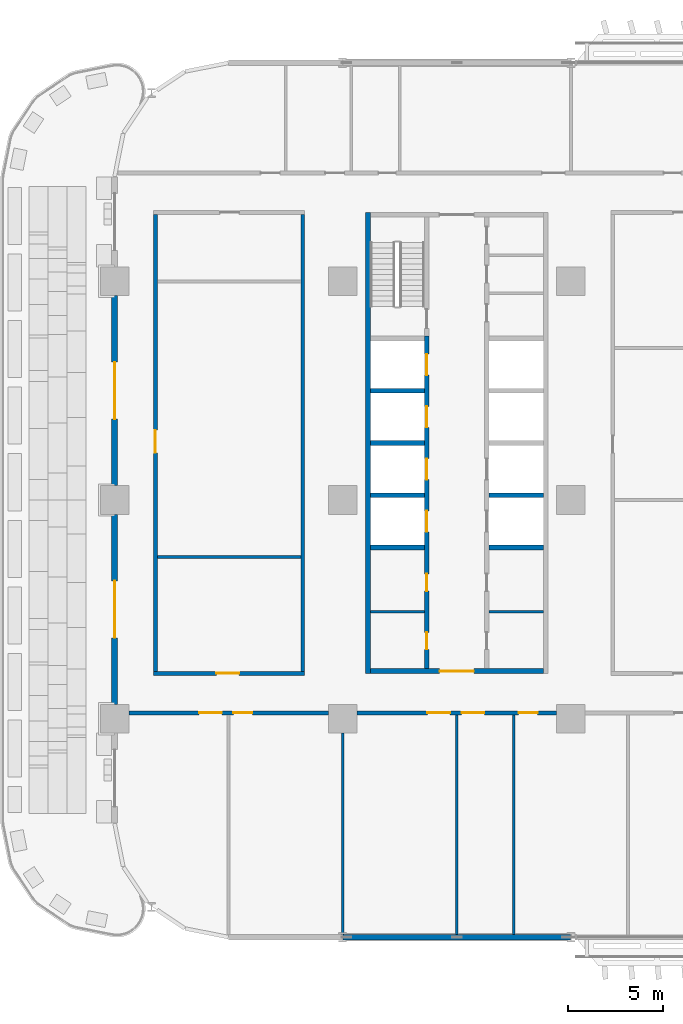
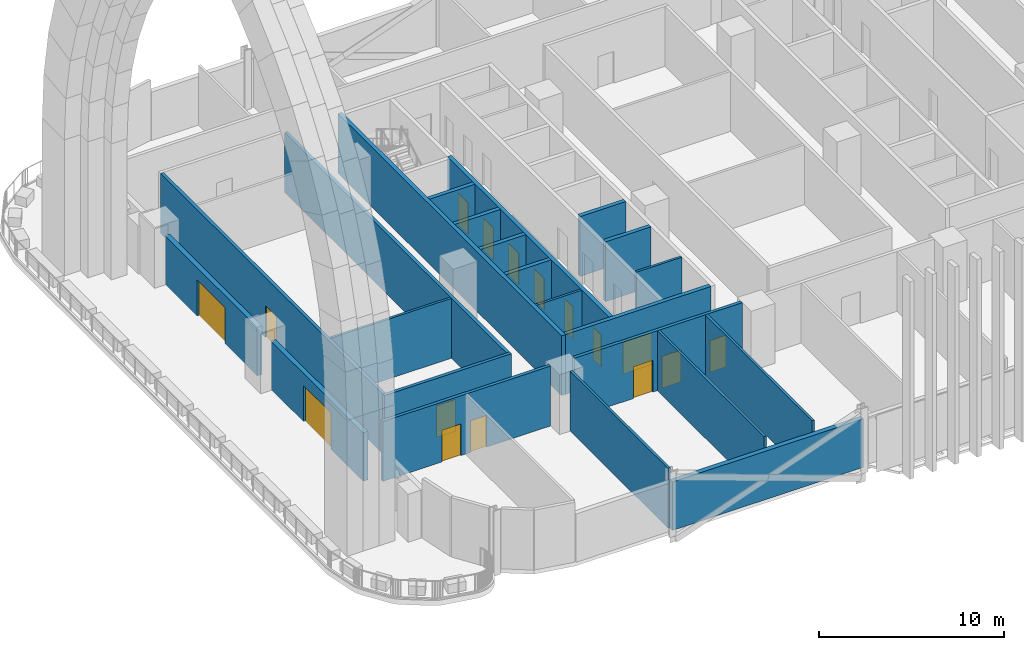
# One storey, part 9 of 29: 23 walls, 16 doors, 16 openings.
"""IFC4 building model written with IfcOpenShell, lengths in metres."""

import ifcopenshell
import ifcopenshell.guid

model = None  # the IFC model being written
_history = None  # IfcOwnerHistory: only IFC2X3 demands one
_inside = {}  # id of a spatial element -> (the spatial element, [elements in it])
_under = {}  # id of a project, library or spatial element -> (it, [spatial elements below it])
_declared = {}  # id of a project -> (the project, [libraries it declares])
_typed = {}  # id of a type object -> (the type object, [elements of that type])
_made_of = {}  # id of a material, layer set ... -> (it, [elements and type objects made of it])


def new_model(schema):
    """Start an empty IFC model of exactly this schema.

    Asked for "IFC4X3", IfcOpenShell would pick the latest addendum, in which some entities
    have other attributes; the version numbers below select the first issue.
    IFC2X3 requires an IfcOwnerHistory on every rooted entity: one is made here for all.
    """
    global model, _history
    if schema == "IFC4X3":
        model = ifcopenshell.file(schema_version=(4, 3, 0, 0))
    else:
        model = ifcopenshell.file(schema=schema)
    _inside.clear()
    _under.clear()
    _declared.clear()
    _typed.clear()
    _made_of.clear()
    _history = None
    if model.schema == "IFC2X3":
        org = make("IfcOrganization", Name="unknown")
        user = make(
            "IfcPersonAndOrganization",
            ThePerson=make("IfcPerson", FamilyName="unknown"),
            TheOrganization=org,
        )
        app = make(
            "IfcApplication",
            ApplicationDeveloper=org,
            Version="unknown",
            ApplicationFullName="unknown",
            ApplicationIdentifier="unknown",
        )
        _history = make(
            "IfcOwnerHistory",
            OwningUser=user,
            OwningApplication=app,
            ChangeAction="ADDED",
            CreationDate=0,
        )
    return model


def make(cls, **values):
    """One entity of the class cls with the attributes given. An attribute that is None is left unset."""
    return model.create_entity(
        cls, **{name: value for name, value in values.items() if value is not None}
    )


def rooted(cls, **values):
    """An entity with a GlobalId (a new one), such as an element, a storey or a relation."""
    return make(cls, GlobalId=ifcopenshell.guid.new(), OwnerHistory=_history, **values)


def si_unit(unit_type, name, prefix=None):
    """IfcSIUnit, for example si_unit("LENGTHUNIT", "METRE", prefix="MILLI")."""
    return make("IfcSIUnit", UnitType=unit_type, Prefix=prefix, Name=name)


def assignment(units):
    """IfcUnitAssignment: the units of a project."""
    return None if units is None else make("IfcUnitAssignment", Units=units)


def point(xyz):
    """IfcCartesianPoint."""
    return None if xyz is None else make("IfcCartesianPoint", Coordinates=xyz)


def direction(xyz):
    """IfcDirection."""
    return None if xyz is None else make("IfcDirection", DirectionRatios=xyz)


def frame(location, z_axis=None, x_axis=None):
    """IfcAxis2Placement3D, a coordinate frame: its origin and axes. An axis left out is left unset."""
    return make(
        "IfcAxis2Placement3D",
        Location=point(location),
        Axis=direction(z_axis),
        RefDirection=direction(x_axis),
    )


def frame_2d(location, x_axis=None):
    """IfcAxis2Placement2D, a coordinate frame in the plane: its origin and x axis."""
    return make(
        "IfcAxis2Placement2D", Location=point(location), RefDirection=direction(x_axis)
    )


def origin():
    """The frame at (0, 0, 0) with its axes left unset."""
    return frame((0.0, 0.0, 0.0))


def place(relative_to, where):
    """IfcLocalPlacement: puts the frame where relative to a parent placement (None: the world)."""
    return make(
        "IfcLocalPlacement", PlacementRelTo=relative_to, RelativePlacement=where
    )


def context(
    kind, dimensions, precision=None, world=None, true_north=None, identifier=None
):
    """IfcGeometricRepresentationContext, for example the 3D "Model" context."""
    return make(
        "IfcGeometricRepresentationContext",
        ContextIdentifier=identifier,
        ContextType=kind,
        CoordinateSpaceDimension=dimensions,
        Precision=precision,
        WorldCoordinateSystem=world,
        TrueNorth=true_north,
    )


def subcontext(parent, identifier, kind, view, scale=None):
    """IfcGeometricRepresentationSubContext, for example "Body" below "Model"."""
    return make(
        "IfcGeometricRepresentationSubContext",
        ContextIdentifier=identifier,
        ContextType=kind,
        ParentContext=parent,
        TargetScale=scale,
        TargetView=view,
    )


def project(units=None, contexts=None):
    """IfcProject with its units and contexts."""
    return rooted(
        "IfcProject",
        Name="project",
        RepresentationContexts=contexts,
        UnitsInContext=assignment(units),
    )


def spatial(cls, under=None, at=None, **own):
    """A site, building, storey or space (cls), placed at a placement, below another one or the project."""
    s = rooted(cls, ObjectPlacement=at, **own)
    if under is not None:
        _under.setdefault(under.id(), (under, []))[1].append(s)
    return s


def profile(cls, at=None, kind="AREA", **sizes):
    """A parametric profile (cls). Its sizes go by their IFC names, for example OverallWidth=200.0."""
    return make(cls, ProfileType=kind, Position=at, **sizes)


def rectangle(**sizes):
    """IfcRectangleProfileDef."""
    return profile("IfcRectangleProfileDef", **sizes)


def extrude(swept, where, along, depth):
    """IfcExtrudedAreaSolid: the profile swept, set in the frame where, extruded along a direction by depth."""
    return make(
        "IfcExtrudedAreaSolid",
        SweptArea=swept,
        Position=where,
        ExtrudedDirection=direction(along),
        Depth=depth,
    )


def shape(context_of_items, identifier, shape_type, items):
    """IfcShapeRepresentation: the items that make up one representation, for example the "Body"."""
    return make(
        "IfcShapeRepresentation",
        ContextOfItems=context_of_items,
        RepresentationIdentifier=identifier,
        RepresentationType=shape_type,
        Items=items,
    )


def material(Name=None, Category=None):
    """IfcMaterial."""
    return make("IfcMaterial", Name=Name, Category=Category)


def layer(
    of_material, thickness, ventilated=None, Name=None, Category=None, Priority=None
):
    """IfcMaterialLayer: one layer of a wall or slab, of a material (None: an air gap)."""
    return make(
        "IfcMaterialLayer",
        Material=of_material,
        LayerThickness=thickness,
        IsVentilated=ventilated,
        Name=Name,
        Category=Category,
        Priority=Priority,
    )


def layer_set(layers, Name=None):
    """IfcMaterialLayerSet."""
    return make("IfcMaterialLayerSet", MaterialLayers=layers, LayerSetName=Name)


def made_of(thing, what):
    """Note that an element or type object is made of a material, layer set ...; save() writes the relation."""
    if what is not None:
        _made_of.setdefault(what.id(), (what, []))[1].append(thing)
    return thing


def type_object(cls, material=None, **own):
    """A type object (cls), such as IfcWallType, which elements share."""
    return made_of(rooted(cls, **own), material)


def element(
    cls,
    number,
    at=None,
    inside=None,
    cuts=None,
    type_object=None,
    material=None,
    context=None,
    identifier="Body",
    shape_type=None,
    held_by="IfcProductDefinitionShape",
    body=None,
    shapes=None,
    **own,
):
    """One element of the class cls, such as IfcWall. Its Tag is "e" and its number.

    at: its placement. inside: the storey or other place that contains it. cuts: it is an
    opening in that element (IfcRelVoidsElement). A single representation is given by context,
    identifier, shape_type and body (its items); several are given by shapes. held_by: the class
    of the entity that holds the representations. save() writes the other relations.
    """
    e = rooted(cls, Tag="e%d" % number, ObjectPlacement=at, **own)
    if body is not None:
        shapes = [shape(context, identifier, shape_type, body)]
    if shapes is not None:
        e.Representation = make(held_by, Representations=shapes)
    if inside is not None:
        _inside.setdefault(inside.id(), (inside, []))[1].append(e)
    if cuts is not None:
        rooted(
            "IfcRelVoidsElement", RelatingBuildingElement=cuts, RelatedOpeningElement=e
        )
    if type_object is not None:
        _typed.setdefault(type_object.id(), (type_object, []))[1].append(e)
    return made_of(e, material)


def fill(opening, filler):
    """IfcRelFillsElement: the door or window that sits in an opening."""
    return rooted(
        "IfcRelFillsElement",
        RelatingOpeningElement=opening,
        RelatedBuildingElement=filler,
    )


def aggregate(whole, parts):
    """IfcRelAggregates: a whole, such as a stair, and the parts it consists of."""
    return rooted("IfcRelAggregates", RelatingObject=whole, RelatedObjects=parts)


def save(model, path):
    """Write the relations noted so far, then the file.

    IfcRelAggregates (storeys below a building ...), IfcRelContainedInSpatialStructure (elements
    in a storey), IfcRelDefinesByType, IfcRelAssociatesMaterial and IfcRelDeclares: one each for
    every whole, place, type object, material and project.
    """
    for whole, parts in _under.values():
        aggregate(whole, parts)
    for where, things in _inside.values():
        rooted(
            "IfcRelContainedInSpatialStructure",
            RelatedElements=things,
            RelatingStructure=where,
        )
    for kind, things in _typed.values():
        rooted("IfcRelDefinesByType", RelatedObjects=things, RelatingType=kind)
    for what, things in _made_of.values():
        rooted("IfcRelAssociatesMaterial", RelatedObjects=things, RelatingMaterial=what)
    for by, libraries in _declared.values():
        rooted("IfcRelDeclares", RelatingContext=by, RelatedDefinitions=libraries)
    model.write(path)


model = new_model("IFC4")

# Units and contexts
model_context = context("Model", 3, precision=1e-05, world=origin(), true_north=direction((0.0, 1.0)))
body_context = subcontext(model_context, "Body", "Model", "MODEL_VIEW")
ifc_project = project(units=[si_unit("LENGTHUNIT", "METRE"), si_unit("AREAUNIT", "SQUARE_METRE"), si_unit("VOLUMEUNIT", "CUBIC_METRE"), si_unit("PLANEANGLEUNIT", "RADIAN"), si_unit("MASSUNIT", "GRAM", prefix="KILO")], contexts=[model_context])

# Site, building, storey
site_placement = place(None, origin())
site = spatial("IfcSite", under=ifc_project, at=site_placement, CompositionType="ELEMENT")
building_placement = place(site_placement, origin())
building = spatial("IfcBuilding", under=site, at=building_placement, Name="Mahtab Terrace Research Tower", CompositionType="ELEMENT")
storey_placement = place(building_placement, frame((0.0, 0.0, 46.0)))
storey = spatial("IfcBuildingStorey", under=building, at=storey_placement, Name="L10", CompositionType="ELEMENT", Elevation=46.0)

# Walls
ifc_material_1 = material(Name="Gypsum board partition")
ifc_layer_1 = layer(ifc_material_1, 0.14990234375)
ifc_layer_set_1 = layer_set([ifc_layer_1], Name="Core partition 150")
wall_type_1 = type_object("IfcWallType", Name="Core partition 150", PredefinedType="PARTITIONING", material=ifc_layer_set_1)
for number, where, z_axis, x_axis, name in (
    (1, (-28.550048828125, -5.875, 0.0), (0.0, 0.0, 1.0), (1.0, 0.0, 0.0), "Core wall A pWS-888"),
    (2, (-22.300048828125, -5.875, 0.0), (0.0, 0.0, 1.0), (1.0, 0.0, 0.0), "Core wall A pES-888"),
):
    element("IfcWall", number, at=place(storey_placement, frame(where, z_axis=z_axis, x_axis=x_axis)), inside=storey, type_object=wall_type_1, Name=name, PredefinedType="PARTITIONING", context=body_context, shape_type="SweptSolid", body=[
        extrude(rectangle(XDim=2.85009765625, YDim=0.14990234375, at=frame_2d((1.425048828125, 0.0))), origin(), (0.0, 0.0, 1.0), 3.9599609375),
    ])
ifc_material_2 = material(Name="Concrete C70/85", Category="concrete")
ifc_layer_2 = layer(ifc_material_2, 0.25)
ifc_layer_set_2 = layer_set([ifc_layer_2], Name="Core wall 250")
wall_type_2 = type_object("IfcWallType", Name="Core wall 250", PredefinedType="SOLIDWALL", material=ifc_layer_set_2)
wall_1_placement = place(storey_placement, frame((-28.675048828125, 15.125, 0.0), z_axis=(0.0, 0.0, 1.0), x_axis=(0.0, -1.0, 0.0)))
element("IfcWall", 3, at=wall_1_placement, inside=storey, type_object=wall_type_2, Name="Core wall A outerW", PredefinedType="SOLIDWALL", context=body_context, shape_type="SweptSolid", body=[
    extrude(rectangle(XDim=24.25, YDim=0.25, at=frame_2d((12.125, 0.0))), origin(), (0.0, 0.0, 1.0), 3.9599609375),
])

# Wall, opening, door
wall_2_placement = place(storey_placement, frame((-19.449951171875, -9.0, 0.0), z_axis=(0.0, 0.0, 1.0), x_axis=(-1.0, 0.0, 0.0)))
wall_2 = element("IfcWall", 4, at=wall_2_placement, inside=storey, type_object=wall_type_2, Name="Core wall A endS", PredefinedType="SOLIDWALL", context=body_context, shape_type="SweptSolid", body=[
    extrude(rectangle(XDim=9.10009765625, YDim=0.25, at=frame_2d((4.550048828125, 0.0))), origin(), (0.0, 0.0, 1.0), 3.9599609375),
])
opening_1_placement = place(wall_2_placement, frame((3.64990234375, 0.0, 0.0)))
opening_1 = element("IfcOpeningElement", 5, at=opening_1_placement, cuts=wall_2, Name="Opening A-S1", PredefinedType="OPENING", context=body_context, shape_type="SweptSolid", body=[
    extrude(rectangle(XDim=1.800048828125, YDim=2.10009765625, at=frame_2d((0.89990234375, 1.050048828125))), frame((0.0, 0.135009765625, 0.0), z_axis=(0.0, -1.0, 0.0), x_axis=(1.0, 0.0, 0.0)), (0.0, 0.0, 1.0), 0.27001953125),
])
ifc_material_3 = material(Name="Steel fire door", Category="steel")
door_type_1 = type_object("IfcDoorType", Name="Lobby double door 1800x2100 1 HR", OperationType="DOUBLE_DOOR_SINGLE_SWING", PredefinedType="DOOR", material=ifc_material_3)
door_1_placement = place(opening_1_placement, origin())
door_1 = element("IfcDoor", 6, at=door_1_placement, inside=storey, type_object=door_type_1, Name="Core entrance door A S", OperationType="DOUBLE_DOOR_SINGLE_SWING", OverallHeight=2.10009765625, OverallWidth=1.800048828125, PredefinedType="DOOR", context=body_context, shape_type="SweptSolid", body=[
    extrude(rectangle(XDim=1.800048828125, YDim=2.10009765625, at=frame_2d((0.89990234375, 1.050048828125))), frame((0.0, 0.02490234375, 0.0), z_axis=(0.0, -1.0, 0.0), x_axis=(1.0, 0.0, 0.0)), (0.0, 0.0, 1.0), 0.050048828125),
])
fill(opening_1, door_1)

# Wall, openings, doors
wall_3_placement = place(storey_placement, frame((-25.574951171875, -8.875, 0.0), z_axis=(0.0, 0.0, 1.0), x_axis=(0.0, 1.0, 0.0)))
wall_3 = element("IfcWall", 7, at=wall_3_placement, inside=storey, type_object=wall_type_2, Name="Core wall A innerWSL", PredefinedType="SOLIDWALL", context=body_context, shape_type="SweptSolid", body=[
    extrude(rectangle(XDim=17.5, YDim=0.25, at=frame_2d((8.75, 0.0))), origin(), (0.0, 0.0, 1.0), 3.9599609375),
])
opening_2_placement = place(wall_3_placement, frame((7.199951171875, 0.0, 0.0)))
opening_2 = element("IfcOpeningElement", 8, at=opening_2_placement, cuts=wall_3, Name="Opening LD01-L10", PredefinedType="OPENING", context=body_context, shape_type="SweptSolid", body=[
    extrude(rectangle(XDim=1.10009765625, YDim=2.10009765625, at=frame_2d((0.550048828125, 1.050048828125))), frame((0.0, 0.135009765625, 0.0), z_axis=(0.0, -1.0, 0.0), x_axis=(1.0, 0.0, 0.0)), (0.0, 0.0, 1.0), 0.27001953125),
])
opening_3_placement = place(wall_3_placement, frame((9.949951171875, 0.0, 0.0)))
opening_3 = element("IfcOpeningElement", 9, at=opening_3_placement, cuts=wall_3, Name="Opening LD02-L10", PredefinedType="OPENING", context=body_context, shape_type="SweptSolid", body=[
    extrude(rectangle(XDim=1.10009765625, YDim=2.10009765625, at=frame_2d((0.550048828125, 1.050048828125))), frame((0.0, 0.135009765625, 0.0), z_axis=(0.0, -1.0, 0.0), x_axis=(1.0, 0.0, 0.0)), (0.0, 0.0, 1.0), 0.27001953125),
])
opening_4_placement = place(wall_3_placement, frame((12.699951171875, 0.0, 0.0)))
opening_4 = element("IfcOpeningElement", 10, at=opening_4_placement, cuts=wall_3, Name="Opening LD03-L10", PredefinedType="OPENING", context=body_context, shape_type="SweptSolid", body=[
    extrude(rectangle(XDim=1.10009765625, YDim=2.10009765625, at=frame_2d((0.550048828125, 1.050048828125))), frame((0.0, 0.135009765625, 0.0), z_axis=(0.0, -1.0, 0.0), x_axis=(1.0, 0.0, 0.0)), (0.0, 0.0, 1.0), 0.27001953125),
])
opening_5_placement = place(wall_3_placement, frame((15.449951171875, 0.0, 0.0)))
opening_5 = element("IfcOpeningElement", 11, at=opening_5_placement, cuts=wall_3, Name="Opening LD04-L10", PredefinedType="OPENING", context=body_context, shape_type="SweptSolid", body=[
    extrude(rectangle(XDim=1.10009765625, YDim=2.10009765625, at=frame_2d((0.550048828125, 1.050048828125))), frame((0.0, 0.135009765625, 0.0), z_axis=(0.0, -1.0, 0.0), x_axis=(1.0, 0.0, 0.0)), (0.0, 0.0, 1.0), 0.27001953125),
])
opening_6_placement = place(wall_3_placement, frame((1.012451171875, 0.0, 0.0)))
opening_6 = element("IfcOpeningElement", 12, at=opening_6_placement, cuts=wall_3, Name="Opening A-R1", PredefinedType="OPENING", context=body_context, shape_type="SweptSolid", body=[
    extrude(rectangle(XDim=0.89990234375, YDim=2.10009765625, at=frame_2d((0.449951171875, 1.050048828125))), frame((0.0, 0.135009765625, 0.0), z_axis=(0.0, -1.0, 0.0), x_axis=(1.0, 0.0, 0.0)), (0.0, 0.0, 1.0), 0.27001953125),
])
opening_7_placement = place(wall_3_placement, frame((4.08740234375, 0.0, 0.0)))
opening_7 = element("IfcOpeningElement", 13, at=opening_7_placement, cuts=wall_3, Name="Opening A-R2", PredefinedType="OPENING", context=body_context, shape_type="SweptSolid", body=[
    extrude(rectangle(XDim=0.89990234375, YDim=2.10009765625, at=frame_2d((0.449951171875, 1.050048828125))), frame((0.0, 0.135009765625, 0.0), z_axis=(0.0, -1.0, 0.0), x_axis=(1.0, 0.0, 0.0)), (0.0, 0.0, 1.0), 0.27001953125),
])
ifc_material_4 = material(Name="Stainless steel AISI 304", Category="steel")
door_type_2 = type_object("IfcDoorType", Name="Landing door 1100x2100", OperationType="DOUBLE_DOOR_SLIDING", PredefinedType="DOOR", material=ifc_material_4)
door_2_placement = place(opening_2_placement, origin())
door_2 = element("IfcDoor", 14, at=door_2_placement, inside=storey, type_object=door_type_2, Name="Landing door LR1 L10", OperationType="DOUBLE_DOOR_SLIDING", OverallHeight=2.10009765625, OverallWidth=1.10009765625, PredefinedType="DOOR", context=body_context, shape_type="SweptSolid", body=[
    extrude(rectangle(XDim=1.10009765625, YDim=2.10009765625, at=frame_2d((0.550048828125, 1.050048828125))), frame((0.0, 0.02490234375, 0.0), z_axis=(0.0, -1.0, 0.0), x_axis=(1.0, 0.0, 0.0)), (0.0, 0.0, 1.0), 0.050048828125),
])
fill(opening_2, door_2)
door_3_placement = place(opening_3_placement, origin())
door_3 = element("IfcDoor", 15, at=door_3_placement, inside=storey, type_object=door_type_2, Name="Landing door LR2 L10", OperationType="DOUBLE_DOOR_SLIDING", OverallHeight=2.10009765625, OverallWidth=1.10009765625, PredefinedType="DOOR", context=body_context, shape_type="SweptSolid", body=[
    extrude(rectangle(XDim=1.10009765625, YDim=2.10009765625, at=frame_2d((0.550048828125, 1.050048828125))), frame((0.0, 0.02490234375, 0.0), z_axis=(0.0, -1.0, 0.0), x_axis=(1.0, 0.0, 0.0)), (0.0, 0.0, 1.0), 0.050048828125),
])
fill(opening_3, door_3)
door_4_placement = place(opening_4_placement, origin())
door_4 = element("IfcDoor", 16, at=door_4_placement, inside=storey, type_object=door_type_2, Name="Landing door LR3 L10", OperationType="DOUBLE_DOOR_SLIDING", OverallHeight=2.10009765625, OverallWidth=1.10009765625, PredefinedType="DOOR", context=body_context, shape_type="SweptSolid", body=[
    extrude(rectangle(XDim=1.10009765625, YDim=2.10009765625, at=frame_2d((0.550048828125, 1.050048828125))), frame((0.0, 0.02490234375, 0.0), z_axis=(0.0, -1.0, 0.0), x_axis=(1.0, 0.0, 0.0)), (0.0, 0.0, 1.0), 0.050048828125),
])
fill(opening_4, door_4)
door_5_placement = place(opening_5_placement, origin())
door_5 = element("IfcDoor", 17, at=door_5_placement, inside=storey, type_object=door_type_2, Name="Landing door LR4 L10", OperationType="DOUBLE_DOOR_SLIDING", OverallHeight=2.10009765625, OverallWidth=1.10009765625, PredefinedType="DOOR", context=body_context, shape_type="SweptSolid", body=[
    extrude(rectangle(XDim=1.10009765625, YDim=2.10009765625, at=frame_2d((0.550048828125, 1.050048828125))), frame((0.0, 0.02490234375, 0.0), z_axis=(0.0, -1.0, 0.0), x_axis=(1.0, 0.0, 0.0)), (0.0, 0.0, 1.0), 0.050048828125),
])
fill(opening_5, door_5)
door_type_3 = type_object("IfcDoorType", Name="Room door 900x2100 1 HR", OperationType="NOTDEFINED", PredefinedType="DOOR", material=ifc_material_3)
door_6_placement = place(opening_6_placement, origin())
door_6 = element("IfcDoor", 18, at=door_6_placement, inside=storey, type_object=door_type_3, Name="Staff WC door", OperationType="SINGLE_SWING_LEFT", OverallHeight=2.10009765625, OverallWidth=0.89990234375, PredefinedType="DOOR", context=body_context, shape_type="SweptSolid", body=[
    extrude(rectangle(XDim=0.89990234375, YDim=2.10009765625, at=frame_2d((0.449951171875, 1.050048828125))), frame((0.0, 0.02490234375, 0.0), z_axis=(0.0, -1.0, 0.0), x_axis=(1.0, 0.0, 0.0)), (0.0, 0.0, 1.0), 0.050048828125),
])
fill(opening_6, door_6)
door_7_placement = place(opening_7_placement, origin())
door_7 = element("IfcDoor", 19, at=door_7_placement, inside=storey, type_object=door_type_3, Name="Accessible WC door", OperationType="SINGLE_SWING_RIGHT", OverallHeight=2.10009765625, OverallWidth=0.89990234375, PredefinedType="DOOR", context=body_context, shape_type="SweptSolid", body=[
    extrude(rectangle(XDim=0.89990234375, YDim=2.10009765625, at=frame_2d((0.449951171875, 1.050048828125))), frame((0.0, 0.02490234375, 0.0), z_axis=(0.0, -1.0, 0.0), x_axis=(1.0, 0.0, 0.0)), (0.0, 0.0, 1.0), 0.050048828125),
])
fill(opening_7, door_7)

# Walls
for number, where, z_axis, x_axis, name in (
    (20, (-28.550048828125, -2.5, 0.0), (0.0, 0.0, 1.0), (1.0, 0.0, 0.0), "Core wall A divW0"),
    (21, (-28.550048828125, 0.25, 0.0), (0.0, 0.0, 1.0), (1.0, 0.0, 0.0), "Core wall A divW1"),
    (22, (-28.550048828125, 3.0, 0.0), (0.0, 0.0, 1.0), (1.0, 0.0, 0.0), "Core wall A divW2"),
    (23, (-28.550048828125, 5.75, 0.0), (0.0, 0.0, 1.0), (1.0, 0.0, 0.0), "Core wall A divW3"),
    (24, (-22.300048828125, -2.5, 0.0), (0.0, 0.0, 1.0), (1.0, 0.0, 0.0), "Core wall A divE0"),
    (25, (-22.300048828125, 0.25, 0.0), (0.0, 0.0, 1.0), (1.0, 0.0, 0.0), "Core wall A divE1"),
):
    element("IfcWall", number, at=place(storey_placement, frame(where, z_axis=z_axis, x_axis=x_axis)), inside=storey, type_object=wall_type_2, Name=name, PredefinedType="SOLIDWALL", context=body_context, shape_type="SweptSolid", body=[
        extrude(rectangle(XDim=2.85009765625, YDim=0.25, at=frame_2d((1.425048828125, 0.0))), origin(), (0.0, 0.0, 1.0), 3.9599609375),
    ])

# Wall, opening, door
ifc_material_5 = material(Name="Black aluminium cladding panel", Category="aluminium")
ifc_layer_3 = layer(ifc_material_5, 0.300048828125)
ifc_layer_set_3 = layer_set([ifc_layer_3], Name="Opaque facade wall 300")
wall_type_3 = type_object("IfcWallType", Name="Opaque facade wall 300", PredefinedType="NOTDEFINED", material=ifc_layer_set_3)
wall_4_placement = place(storey_placement, frame((-42.0, 10.75, 0.0), z_axis=(0.0, 0.0, 1.0), x_axis=(0.0, -1.0, 0.0)))
wall_4 = element("IfcWall", 26, at=wall_4_placement, inside=storey, type_object=wall_type_3, Name="Opaque facade wall L10 W16", PredefinedType="NOTDEFINED", context=body_context, shape_type="SweptSolid", body=[
    extrude(rectangle(XDim=10.0, YDim=0.300048828125, at=frame_2d((5.0, 0.0))), origin(), (0.0, 0.0, 1.0), 3.203125),
])
opening_8_placement = place(wall_4_placement, frame((3.5, 0.0, 0.0)))
opening_8 = element("IfcOpeningElement", 27, at=opening_8_placement, cuts=wall_4, Name="Opening ED1", PredefinedType="OPENING", context=body_context, shape_type="SweptSolid", body=[
    extrude(rectangle(XDim=3.0, YDim=2.39990234375, at=frame_2d((1.5, 1.199951171875))), frame((0.0, 0.159912109375, 0.0), z_axis=(0.0, -1.0, 0.0), x_axis=(1.0, 0.0, 0.0)), (0.0, 0.0, 1.0), 0.320068359375),
])
ifc_material_6 = material(Name="Black anodised aluminium", Category="aluminium")
door_type_4 = type_object("IfcDoorType", Name="Terrace double door 3000x2400", OperationType="DOUBLE_DOOR_DOUBLE_SWING", PredefinedType="DOOR", material=ifc_material_6)
door_8_placement = place(opening_8_placement, origin())
door_8 = element("IfcDoor", 28, at=door_8_placement, inside=storey, type_object=door_type_4, Name="Terrace door L10 W", OperationType="SINGLE_SWING_LEFT", OverallHeight=2.39990234375, OverallWidth=3.0, PredefinedType="DOOR", context=body_context, shape_type="SweptSolid", body=[
    extrude(rectangle(XDim=3.0, YDim=2.39990234375, at=frame_2d((1.5, 1.199951171875))), frame((0.0, 0.02490234375, 0.0), z_axis=(0.0, -1.0, 0.0), x_axis=(1.0, 0.0, 0.0)), (0.0, 0.0, 1.0), 0.050048828125),
])
fill(opening_8, door_8)

wall_5_placement = place(storey_placement, frame((-42.0, -0.75, 0.0), z_axis=(0.0, 0.0, 1.0), x_axis=(0.0, -1.0, 0.0)))
wall_5 = element("IfcWall", 29, at=wall_5_placement, inside=storey, type_object=wall_type_3, Name="Opaque facade wall L10 W17", PredefinedType="NOTDEFINED", context=body_context, shape_type="SweptSolid", body=[
    extrude(rectangle(XDim=10.0, YDim=0.300048828125, at=frame_2d((5.0, 0.0))), origin(), (0.0, 0.0, 1.0), 3.203125),
])
opening_9_placement = place(wall_5_placement, frame((3.5, 0.0, 0.0)))
opening_9 = element("IfcOpeningElement", 30, at=opening_9_placement, cuts=wall_5, Name="Opening ED1", PredefinedType="OPENING", context=body_context, shape_type="SweptSolid", body=[
    extrude(rectangle(XDim=3.0, YDim=2.39990234375, at=frame_2d((1.5, 1.199951171875))), frame((0.0, 0.159912109375, 0.0), z_axis=(0.0, -1.0, 0.0), x_axis=(1.0, 0.0, 0.0)), (0.0, 0.0, 1.0), 0.320068359375),
])
door_9_placement = place(opening_9_placement, origin())
door_9 = element("IfcDoor", 31, at=door_9_placement, inside=storey, type_object=door_type_4, Name="Terrace door L10 W", OperationType="SINGLE_SWING_LEFT", OverallHeight=2.39990234375, OverallWidth=3.0, PredefinedType="DOOR", context=body_context, shape_type="SweptSolid", body=[
    extrude(rectangle(XDim=3.0, YDim=2.39990234375, at=frame_2d((1.5, 1.199951171875))), frame((0.0, 0.02490234375, 0.0), z_axis=(0.0, -1.0, 0.0), x_axis=(1.0, 0.0, 0.0)), (0.0, 0.0, 1.0), 0.050048828125),
])
fill(opening_9, door_9)

# Wall
wall_6_placement = place(storey_placement, frame((-29.97607421875, -23.0, 0.0), z_axis=(0.0, 0.0, 1.0), x_axis=(1.0, 0.0, 0.0)))
element("IfcWall", 32, at=wall_6_placement, inside=storey, type_object=wall_type_3, Name="Opaque facade wall L10 S24", PredefinedType="NOTDEFINED", context=body_context, shape_type="SweptSolid", body=[
    extrude(rectangle(XDim=11.9521484375, YDim=0.300048828125, at=frame_2d((5.97607421875, 0.0))), origin(), (0.0, 0.0, 1.0), 3.203125),
])

# Wall, openings, doors
ifc_material_7 = material(Name="Gypsum board corridor wall on steel studs", Category="steel")
ifc_layer_4 = layer(ifc_material_7, 0.199951171875)
ifc_layer_set_4 = layer_set([ifc_layer_4], Name="WALL CORRIDOR 200")
wall_type_4 = type_object("IfcWallType", Name="WALL CORRIDOR 200", PredefinedType="PARTITIONING", material=ifc_layer_set_4)
wall_7_placement = place(storey_placement, frame((-41.25, -11.199951171875, 0.0), z_axis=(0.0, 0.0, 1.0), x_axis=(1.0, 0.0, 0.0)))
wall_7 = element("IfcWall", 33, at=wall_7_placement, inside=storey, type_object=wall_type_4, Name="L10-W001", PredefinedType="PARTITIONING", context=body_context, shape_type="SweptSolid", body=[
    extrude(rectangle(XDim=10.5, YDim=0.199951171875, at=frame_2d((5.25, 0.0))), origin(), (0.0, 0.0, 1.0), 3.9599609375),
])
opening_10_placement = place(wall_7_placement, frame((3.699951171875, 0.0, 0.0)))
opening_10 = element("IfcOpeningElement", 34, at=opening_10_placement, cuts=wall_7, Name="Opening L10-101", PredefinedType="OPENING", context=body_context, shape_type="SweptSolid", body=[
    extrude(rectangle(XDim=1.199951171875, YDim=2.10009765625, at=frame_2d((0.60009765625, 1.050048828125))), frame((0.0, 0.10986328125, 0.0), z_axis=(0.0, -1.0, 0.0), x_axis=(1.0, 0.0, 0.0)), (0.0, 0.0, 1.0), 0.219970703125),
])
opening_11_placement = place(wall_7_placement, frame((5.5, 0.0, 0.0)))
opening_11 = element("IfcOpeningElement", 35, at=opening_11_placement, cuts=wall_7, Name="Opening L10-102", PredefinedType="OPENING", context=body_context, shape_type="SweptSolid", body=[
    extrude(rectangle(XDim=1.0, YDim=2.10009765625, at=frame_2d((0.5, 1.050048828125))), frame((0.0, 0.10986328125, 0.0), z_axis=(0.0, -1.0, 0.0), x_axis=(1.0, 0.0, 0.0)), (0.0, 0.0, 1.0), 0.219970703125),
])
ifc_material_8 = material(Name="Timber door leaf in steel frame", Category="steel")
door_type_5 = type_object("IfcDoorType", Name="DOOR 1000X2100 FD30S", OperationType="SINGLE_SWING_LEFT", PredefinedType="DOOR", material=ifc_material_8)
door_10_placement = place(opening_11_placement, origin())
door_10 = element("IfcDoor", 36, at=door_10_placement, inside=storey, type_object=door_type_5, Name="Door L10-102", OperationType="SINGLE_SWING_LEFT", OverallHeight=2.10009765625, OverallWidth=1.0, PredefinedType="DOOR", context=body_context, shape_type="SweptSolid", body=[
    extrude(rectangle(XDim=1.0, YDim=2.10009765625, at=frame_2d((0.5, 1.050048828125))), frame((0.0, 0.02490234375, 0.0), z_axis=(0.0, -1.0, 0.0), x_axis=(1.0, 0.0, 0.0)), (0.0, 0.0, 1.0), 0.050048828125),
])
fill(opening_11, door_10)
door_type_6 = type_object("IfcDoorType", Name="DOOR 1200X2100 FD30S", OperationType="SINGLE_SWING_LEFT", PredefinedType="DOOR", material=ifc_material_8)
door_11_placement = place(opening_10_placement, origin())
door_11 = element("IfcDoor", 37, at=door_11_placement, inside=storey, type_object=door_type_6, Name="Door L10-101", OperationType="SINGLE_SWING_RIGHT", OverallHeight=2.10009765625, OverallWidth=1.199951171875, PredefinedType="DOOR", context=body_context, shape_type="SweptSolid", body=[
    extrude(rectangle(XDim=1.199951171875, YDim=2.10009765625, at=frame_2d((0.60009765625, 1.050048828125))), frame((0.0, 0.02490234375, 0.0), z_axis=(0.0, -1.0, 0.0), x_axis=(1.0, 0.0, 0.0)), (0.0, 0.0, 1.0), 0.050048828125),
])
fill(opening_10, door_11)

wall_8_placement = place(storey_placement, frame((-29.25, -11.199951171875, 0.0), z_axis=(0.0, 0.0, 1.0), x_axis=(1.0, 0.0, 0.0)))
wall_8 = element("IfcWall", 38, at=wall_8_placement, inside=storey, type_object=wall_type_4, Name="L10-W002", PredefinedType="PARTITIONING", context=body_context, shape_type="SweptSolid", body=[
    extrude(rectangle(XDim=10.5, YDim=0.199951171875, at=frame_2d((5.25, 0.0))), origin(), (0.0, 0.0, 1.0), 3.9599609375),
])
opening_12_placement = place(wall_8_placement, frame((3.699951171875, 0.0, 0.0)))
opening_12 = element("IfcOpeningElement", 39, at=opening_12_placement, cuts=wall_8, Name="Opening L10-103", PredefinedType="OPENING", context=body_context, shape_type="SweptSolid", body=[
    extrude(rectangle(XDim=1.199951171875, YDim=2.10009765625, at=frame_2d((0.60009765625, 1.050048828125))), frame((0.0, 0.10986328125, 0.0), z_axis=(0.0, -1.0, 0.0), x_axis=(1.0, 0.0, 0.0)), (0.0, 0.0, 1.0), 0.219970703125),
])
opening_13_placement = place(wall_8_placement, frame((5.5, 0.0, 0.0)))
opening_13 = element("IfcOpeningElement", 40, at=opening_13_placement, cuts=wall_8, Name="Opening L10-104", PredefinedType="OPENING", context=body_context, shape_type="SweptSolid", body=[
    extrude(rectangle(XDim=1.199951171875, YDim=2.10009765625, at=frame_2d((0.60009765625, 1.050048828125))), frame((0.0, 0.10986328125, 0.0), z_axis=(0.0, -1.0, 0.0), x_axis=(1.0, 0.0, 0.0)), (0.0, 0.0, 1.0), 0.219970703125),
])
opening_14_placement = place(wall_8_placement, frame((8.5, 0.0, 0.0)))
opening_14 = element("IfcOpeningElement", 41, at=opening_14_placement, cuts=wall_8, Name="Opening L10-105", PredefinedType="OPENING", context=body_context, shape_type="SweptSolid", body=[
    extrude(rectangle(XDim=1.0, YDim=2.10009765625, at=frame_2d((0.5, 1.050048828125))), frame((0.0, 0.10986328125, 0.0), z_axis=(0.0, -1.0, 0.0), x_axis=(1.0, 0.0, 0.0)), (0.0, 0.0, 1.0), 0.219970703125),
])
door_12_placement = place(opening_14_placement, origin())
door_12 = element("IfcDoor", 42, at=door_12_placement, inside=storey, type_object=door_type_5, Name="Door L10-105", OperationType="SINGLE_SWING_LEFT", OverallHeight=2.10009765625, OverallWidth=1.0, PredefinedType="DOOR", context=body_context, shape_type="SweptSolid", body=[
    extrude(rectangle(XDim=1.0, YDim=2.10009765625, at=frame_2d((0.5, 1.050048828125))), frame((0.0, 0.02490234375, 0.0), z_axis=(0.0, -1.0, 0.0), x_axis=(1.0, 0.0, 0.0)), (0.0, 0.0, 1.0), 0.050048828125),
])
fill(opening_14, door_12)
door_13_placement = place(opening_12_placement, origin())
door_13 = element("IfcDoor", 43, at=door_13_placement, inside=storey, type_object=door_type_6, Name="Door L10-103", OperationType="SINGLE_SWING_RIGHT", OverallHeight=2.10009765625, OverallWidth=1.199951171875, PredefinedType="DOOR", context=body_context, shape_type="SweptSolid", body=[
    extrude(rectangle(XDim=1.199951171875, YDim=2.10009765625, at=frame_2d((0.60009765625, 1.050048828125))), frame((0.0, 0.02490234375, 0.0), z_axis=(0.0, -1.0, 0.0), x_axis=(1.0, 0.0, 0.0)), (0.0, 0.0, 1.0), 0.050048828125),
])
fill(opening_12, door_13)
door_14_placement = place(opening_13_placement, origin())
door_14 = element("IfcDoor", 44, at=door_14_placement, inside=storey, type_object=door_type_6, Name="Door L10-104", OperationType="SINGLE_SWING_LEFT", OverallHeight=2.10009765625, OverallWidth=1.199951171875, PredefinedType="DOOR", context=body_context, shape_type="SweptSolid", body=[
    extrude(rectangle(XDim=1.199951171875, YDim=2.10009765625, at=frame_2d((0.60009765625, 1.050048828125))), frame((0.0, 0.02490234375, 0.0), z_axis=(0.0, -1.0, 0.0), x_axis=(1.0, 0.0, 0.0)), (0.0, 0.0, 1.0), 0.050048828125),
])
fill(opening_13, door_14)

# Wall, opening, door
wall_9_placement = place(storey_placement, frame((-39.949951171875, -9.125, 0.0), z_axis=(0.0, 0.0, 1.0), x_axis=(1.0, 0.0, 0.0)))
wall_9 = element("IfcWall", 45, at=wall_9_placement, inside=storey, type_object=wall_type_4, Name="L10-W009", PredefinedType="PARTITIONING", context=body_context, shape_type="SweptSolid", body=[
    extrude(rectangle(XDim=7.949951171875, YDim=0.199951171875, at=frame_2d((3.97509765625, 0.0))), origin(), (0.0, 0.0, 1.0), 3.9599609375),
])
opening_15_placement = place(wall_9_placement, frame((3.300048828125, 0.0, 0.0)))
opening_15 = element("IfcOpeningElement", 46, at=opening_15_placement, cuts=wall_9, Name="Opening L10-119", PredefinedType="OPENING", context=body_context, shape_type="SweptSolid", body=[
    extrude(rectangle(XDim=1.199951171875, YDim=2.10009765625, at=frame_2d((0.60009765625, 1.050048828125))), frame((0.0, 0.10986328125, 0.0), z_axis=(0.0, -1.0, 0.0), x_axis=(1.0, 0.0, 0.0)), (0.0, 0.0, 1.0), 0.219970703125),
])
door_15_placement = place(opening_15_placement, origin())
door_15 = element("IfcDoor", 47, at=door_15_placement, inside=storey, type_object=door_type_6, Name="Door L10-119", OperationType="SINGLE_SWING_LEFT", OverallHeight=2.10009765625, OverallWidth=1.199951171875, PredefinedType="DOOR", context=body_context, shape_type="SweptSolid", body=[
    extrude(rectangle(XDim=1.199951171875, YDim=2.10009765625, at=frame_2d((0.60009765625, 1.050048828125))), frame((0.0, 0.02490234375, 0.0), z_axis=(0.0, -1.0, 0.0), x_axis=(1.0, 0.0, 0.0)), (0.0, 0.0, 1.0), 0.050048828125),
])
fill(opening_15, door_15)

wall_10_placement = place(storey_placement, frame((-39.85009765625, -9.02490234375, 0.0), z_axis=(0.0, 0.0, 1.0), x_axis=(0.0, 1.0, 0.0)))
wall_10 = element("IfcWall", 48, at=wall_10_placement, inside=storey, type_object=wall_type_4, Name="L10-W027", PredefinedType="PARTITIONING", context=body_context, shape_type="SweptSolid", body=[
    extrude(rectangle(XDim=24.0498046875, YDim=0.199951171875, at=frame_2d((12.02490234375, 0.0))), origin(), (0.0, 0.0, 1.0), 3.9599609375),
])
opening_16_placement = place(wall_10_placement, frame((11.5, 0.0, 0.0)))
opening_16 = element("IfcOpeningElement", 49, at=opening_16_placement, cuts=wall_10, Name="Opening L10-124", PredefinedType="OPENING", context=body_context, shape_type="SweptSolid", body=[
    extrude(rectangle(XDim=1.199951171875, YDim=2.10009765625, at=frame_2d((0.60009765625, 1.050048828125))), frame((0.0, 0.10986328125, 0.0), z_axis=(0.0, -1.0, 0.0), x_axis=(1.0, 0.0, 0.0)), (0.0, 0.0, 1.0), 0.219970703125),
])
door_16_placement = place(opening_16_placement, origin())
door_16 = element("IfcDoor", 50, at=door_16_placement, inside=storey, type_object=door_type_6, Name="Door L10-124", OperationType="SINGLE_SWING_LEFT", OverallHeight=2.10009765625, OverallWidth=1.199951171875, PredefinedType="DOOR", context=body_context, shape_type="SweptSolid", body=[
    extrude(rectangle(XDim=1.199951171875, YDim=2.10009765625, at=frame_2d((0.60009765625, 1.050048828125))), frame((0.0, 0.02490234375, 0.0), z_axis=(0.0, -1.0, 0.0), x_axis=(1.0, 0.0, 0.0)), (0.0, 0.0, 1.0), 0.050048828125),
])
fill(opening_16, door_16)

# Walls
wall_11_placement = place(storey_placement, frame((-32.10009765625, -9.02490234375, 0.0), z_axis=(0.0, 0.0, 1.0), x_axis=(0.0, 1.0, 0.0)))
element("IfcWall", 51, at=wall_11_placement, inside=storey, type_object=wall_type_4, Name="L10-W030", PredefinedType="PARTITIONING", context=body_context, shape_type="SweptSolid", body=[
    extrude(rectangle(XDim=24.0498046875, YDim=0.199951171875, at=frame_2d((12.02490234375, 0.0))), origin(), (0.0, 0.0, 1.0), 3.9599609375),
])
ifc_material_9 = material(Name="Gypsum board partition on steel studs", Category="steel")
ifc_layer_5 = layer(ifc_material_9, 0.14990234375)
ifc_layer_set_5 = layer_set([ifc_layer_5], Name="WALL PARTITION 150")
wall_type_5 = type_object("IfcWallType", Name="WALL PARTITION 150", PredefinedType="PARTITIONING", material=ifc_layer_set_5)
wall_12_placement = place(storey_placement, frame((-39.75, -3.0, 0.0), z_axis=(0.0, 0.0, 1.0), x_axis=(1.0, 0.0, 0.0)))
element("IfcWall", 52, at=wall_12_placement, inside=storey, type_object=wall_type_5, Name="L10-W013", PredefinedType="PARTITIONING", context=body_context, shape_type="SweptSolid", body=[
    extrude(rectangle(XDim=7.550048828125, YDim=0.14990234375, at=frame_2d((3.77490234375, 0.0))), origin(), (0.0, 0.0, 1.0), 3.9599609375),
])
wall_13_placement = place(storey_placement, frame((-30.0, -22.85009765625, 0.0), z_axis=(0.0, 0.0, 1.0), x_axis=(0.0, 1.0, 0.0)))
element("IfcWall", 53, at=wall_13_placement, inside=storey, type_object=wall_type_5, Name="L10-W031", PredefinedType="PARTITIONING", context=body_context, shape_type="SweptSolid", body=[
    extrude(rectangle(XDim=10.60009765625, YDim=0.14990234375, at=frame_2d((5.300048828125, 0.0))), origin(), (0.0, 0.0, 1.0), 3.9599609375),
])
for number, where, z_axis, x_axis, name in (
    (54, (-24.0, -22.85009765625, 0.0), (0.0, 0.0, 1.0), (0.0, 1.0, 0.0), "L10-W034"),
    (55, (-21.0, -22.85009765625, 0.0), (0.0, 0.0, 1.0), (0.0, 1.0, 0.0), "L10-W035"),
):
    element("IfcWall", number, at=place(storey_placement, frame(where, z_axis=z_axis, x_axis=x_axis)), inside=storey, type_object=wall_type_5, Name=name, PredefinedType="PARTITIONING", context=body_context, shape_type="SweptSolid", body=[
        extrude(rectangle(XDim=11.550048828125, YDim=0.14990234375, at=frame_2d((5.77490234375, 0.0))), origin(), (0.0, 0.0, 1.0), 3.9599609375),
    ])

save(model, "model.ifc")
